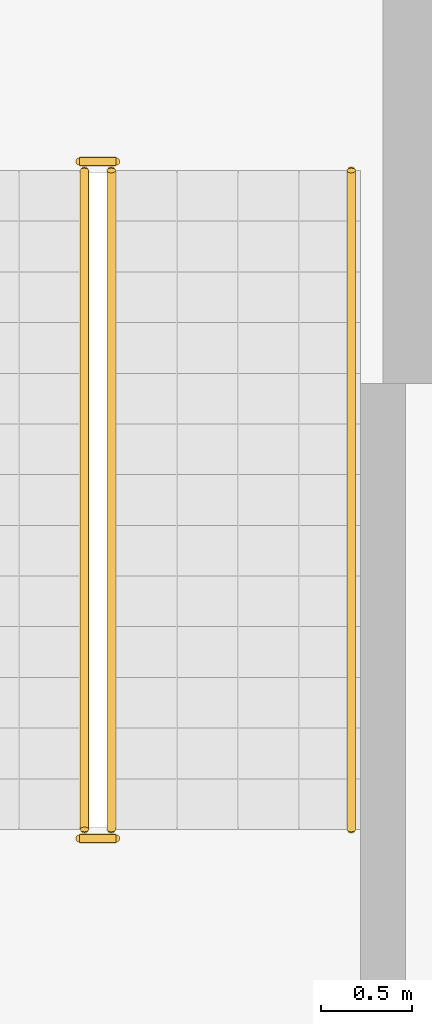
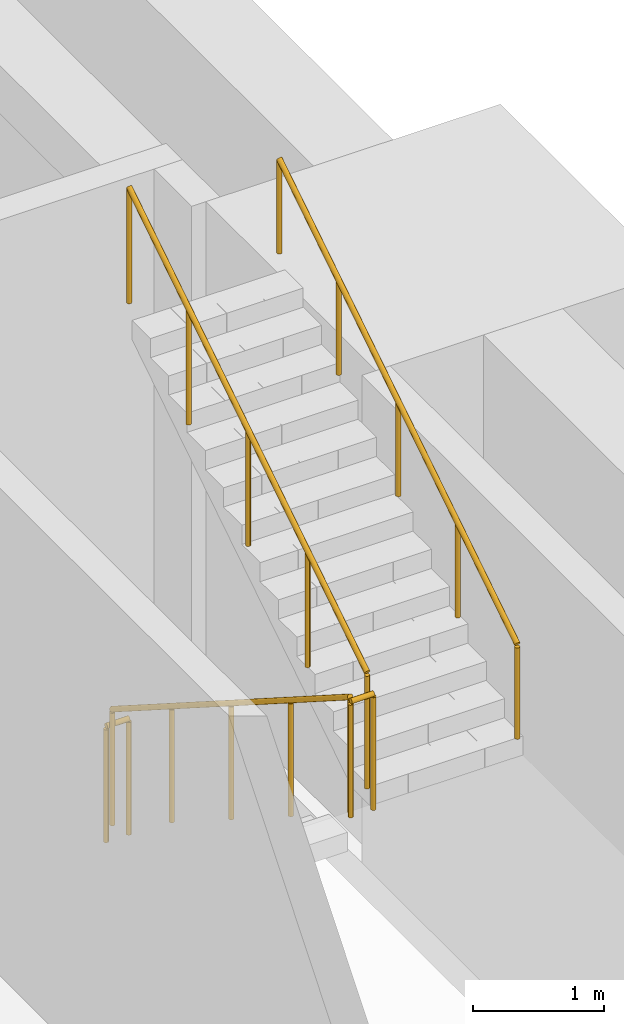
# One storey, part 16 of 17: 5 railings.
"""IFC4 building model written with IfcOpenShell, lengths in metres."""

from ifc_helpers import new_model, si_unit, direction, frame, origin, origin_2d, place, context, subcontext, project, spatial, circle, extrude, material, type_object, element, save


model = new_model("IFC4")

# Units and contexts
model_context = context("Model", 3, precision=1e-05, world=origin(), true_north=direction((0.0, 1.0)))
body_context = subcontext(model_context, "Body", "Model", "MODEL_VIEW")
ifc_project = project(units=[si_unit("LENGTHUNIT", "METRE"), si_unit("AREAUNIT", "SQUARE_METRE"), si_unit("VOLUMEUNIT", "CUBIC_METRE"), si_unit("PLANEANGLEUNIT", "RADIAN"), si_unit("MASSUNIT", "GRAM", prefix="KILO")], contexts=[model_context])

# Site, building, storey
site_placement = place(None, origin())
site = spatial("IfcSite", under=ifc_project, at=site_placement, CompositionType="ELEMENT")
building_placement = place(site_placement, origin())
building = spatial("IfcBuilding", under=site, at=building_placement, Name="Cantera Rosa Tower", CompositionType="ELEMENT")
storey_placement = place(building_placement, frame((0.0, 0.0, 32.0)))
storey = spatial("IfcBuildingStorey", under=building, at=storey_placement, Name="L05", CompositionType="ELEMENT", Elevation=32.0)

# Railings
ifc_material_1 = material(Name="Steel S355J2 (EN 10025-2)", Category="steel")
railing_type_1 = type_object("IfcRailingType", Name="STAIR GUARD 1100", PredefinedType="GUARDRAIL", material=ifc_material_1)
railing_1_placement = place(storey_placement, frame((30.65087890625, -21.125, 0.178466796875)))
element("IfcRailing", 1, at=railing_1_placement, inside=storey, type_object=railing_type_1, Name="L05 ST-SE stair guard 1", PredefinedType="GUARDRAIL", context=body_context, shape_type="SweptSolid", body=[
    extrude(circle(Radius=0.02392578125, at=origin_2d()), frame((0.0, 0.0, 1.076171875), z_axis=(0.0, -0.843111507901, 0.53773877045), x_axis=(1.0, 0.0, 0.0)), (0.0, 0.0, 1.0), 4.317138671875),
    extrude(circle(Radius=0.02099609375, at=origin_2d()), origin(), (0.0, 0.0, 1.0), 1.052001953125),
    extrude(circle(Radius=0.02099609375, at=origin_2d()), frame((0.0, -0.909912109375, 0.580322265625)), (0.0, 0.0, 1.0), 1.052001953125),
    extrude(circle(Radius=0.02099609375, at=origin_2d()), frame((0.0, -1.81982421875, 1.16064453125)), (0.0, 0.0, 1.0), 1.052001953125),
    extrude(circle(Radius=0.02099609375, at=origin_2d()), frame((0.0, -2.72998046875, 1.7412109375)), (0.0, 0.0, 1.0), 1.052001953125),
    extrude(circle(Radius=0.02099609375, at=origin_2d()), frame((0.0, -3.639892578125, 2.321533203125)), (0.0, 0.0, 1.0), 1.052001953125),
])
railing_2_placement = place(storey_placement, frame((30.625, -24.81494140625, 2.5)))
element("IfcRailing", 2, at=railing_2_placement, inside=storey, type_object=railing_type_1, Name="L05 ST-SE stair guard 2", PredefinedType="GUARDRAIL", context=body_context, shape_type="SweptSolid", body=[
    extrude(circle(Radius=0.02392578125, at=origin_2d()), frame((0.0, 0.0, 1.076171875), z_axis=(1.0, 0.0, 0.0), x_axis=(0.0, 1.0, 0.0)), (0.0, 0.0, 1.0), 0.199951171875),
    extrude(circle(Radius=0.02099609375, at=origin_2d()), origin(), (0.0, 0.0, 1.0), 1.052001953125),
    extrude(circle(Radius=0.02099609375, at=origin_2d()), frame((0.199951171875, 0.0, 0.0)), (0.0, 0.0, 1.0), 1.052001953125),
])
railing_3_placement = place(storey_placement, frame((30.799072265625, -24.764892578125, 2.678466796875)))
element("IfcRailing", 3, at=railing_3_placement, inside=storey, type_object=railing_type_1, Name="L05 ST-SE stair guard 3", PredefinedType="GUARDRAIL", context=body_context, shape_type="SweptSolid", body=[
    extrude(circle(Radius=0.02392578125, at=origin_2d()), frame((0.0, 0.0, 1.076171875), z_axis=(0.0, 0.843111507901, 0.53773877045), x_axis=(-1.0, 0.0, 0.0)), (0.0, 0.0, 1.0), 4.317138671875),
    extrude(circle(Radius=0.02099609375, at=origin_2d()), origin(), (0.0, 0.0, 1.0), 1.052001953125),
    extrude(circle(Radius=0.02099609375, at=origin_2d()), frame((0.0, 0.909912109375, 0.580322265625)), (0.0, 0.0, 1.0), 1.052001953125),
    extrude(circle(Radius=0.02099609375, at=origin_2d()), frame((0.0, 1.81982421875, 1.16064453125)), (0.0, 0.0, 1.0), 1.052001953125),
    extrude(circle(Radius=0.02099609375, at=origin_2d()), frame((0.0, 2.72998046875, 1.7412109375)), (0.0, 0.0, 1.0), 1.052001953125),
    extrude(circle(Radius=0.02099609375, at=origin_2d()), frame((0.0, 3.639892578125, 2.321533203125)), (0.0, 0.0, 1.0), 1.052001953125),
])
railing_4_placement = place(storey_placement, frame((30.625, -21.074951171875, 0.0)))
element("IfcRailing", 4, at=railing_4_placement, inside=storey, type_object=railing_type_1, Name="L05 ST-SE stair guard 4", PredefinedType="GUARDRAIL", context=body_context, shape_type="SweptSolid", body=[
    extrude(circle(Radius=0.02392578125, at=origin_2d()), frame((0.0, 0.0, 1.076171875), z_axis=(1.0, 0.0, 0.0), x_axis=(0.0, 1.0, 0.0)), (0.0, 0.0, 1.0), 0.199951171875),
    extrude(circle(Radius=0.02099609375, at=origin_2d()), origin(), (0.0, 0.0, 1.0), 1.052001953125),
    extrude(circle(Radius=0.02099609375, at=origin_2d()), frame((0.199951171875, 0.0, 0.0)), (0.0, 0.0, 1.0), 1.052001953125),
])
ifc_material_2 = material(Name="Steel S355J2 (EN 10025-2)", Category="steel")
railing_type_2 = type_object("IfcRailingType", Name="STAIR HANDRAIL 900", PredefinedType="HANDRAIL", material=ifc_material_2)
railing_5_placement = place(storey_placement, frame((32.125, -24.764892578125, 2.678466796875)))
element("IfcRailing", 5, at=railing_5_placement, inside=storey, type_object=railing_type_2, Name="L05 ST-SE stair handrail 2", PredefinedType="HANDRAIL", context=body_context, shape_type="SweptSolid", body=[
    extrude(circle(Radius=0.02392578125, at=origin_2d()), frame((0.0, 0.0, 0.8759765625), z_axis=(0.0, 0.843111507901, 0.53773877045), x_axis=(-1.0, 0.0, 0.0)), (0.0, 0.0, 1.0), 4.317138671875),
    extrude(circle(Radius=0.02099609375, at=origin_2d()), origin(), (0.0, 0.0, 1.0), 0.851806640625),
    extrude(circle(Radius=0.02099609375, at=origin_2d()), frame((0.0, 0.909912109375, 0.580322265625)), (0.0, 0.0, 1.0), 0.851806640625),
    extrude(circle(Radius=0.02099609375, at=origin_2d()), frame((0.0, 1.81982421875, 1.16064453125)), (0.0, 0.0, 1.0), 0.851806640625),
    extrude(circle(Radius=0.02099609375, at=origin_2d()), frame((0.0, 2.72998046875, 1.7412109375)), (0.0, 0.0, 1.0), 0.851806640625),
    extrude(circle(Radius=0.02099609375, at=origin_2d()), frame((0.0, 3.639892578125, 2.321533203125)), (0.0, 0.0, 1.0), 0.851806640625),
])

save(model, "model.ifc")
